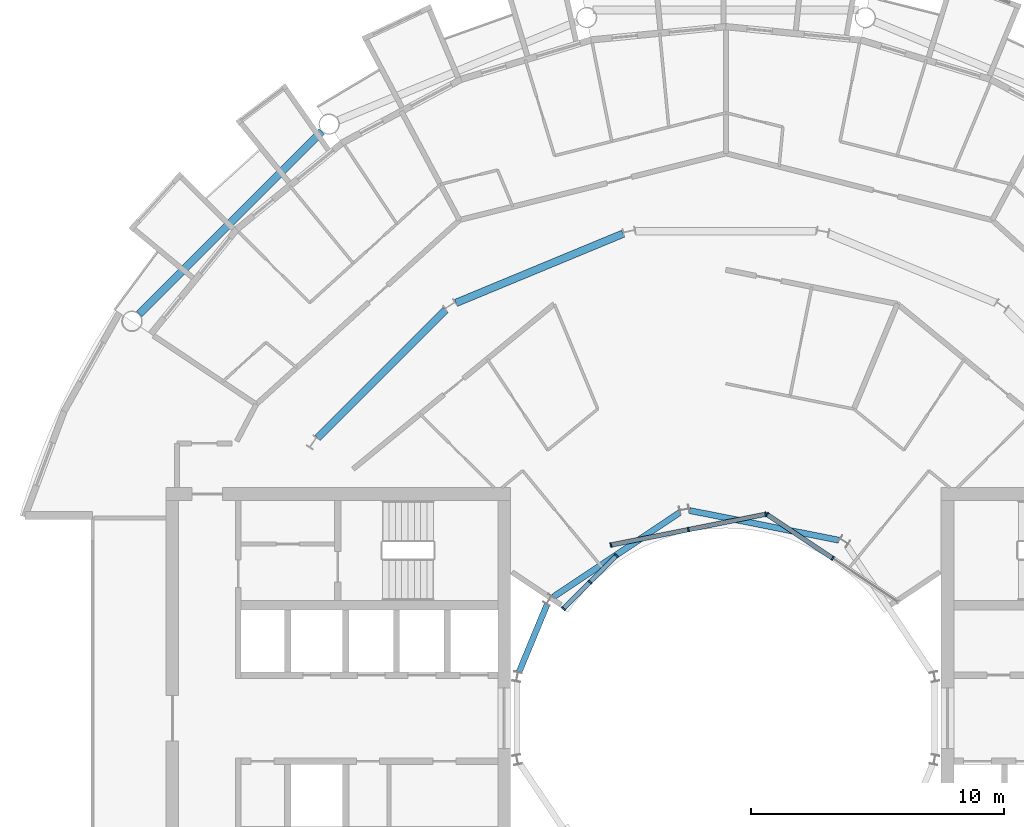
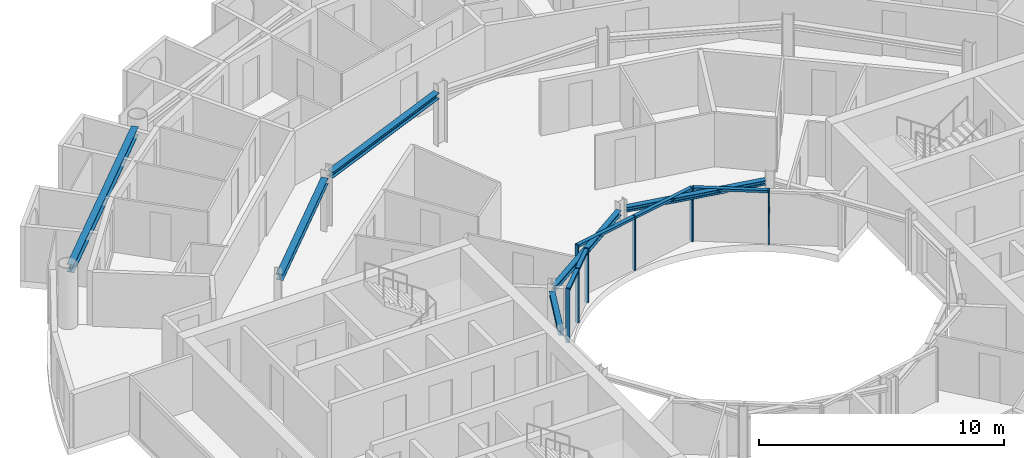
# One storey, part 8 of 27: 13 members, 6 beams, 3 elements without a shape of their own.
"""IFC4 building model written with IfcOpenShell, lengths in metres."""

from ifc_helpers import new_model, si_unit, direction, frame, origin, origin_2d, place, context, subcontext, project, spatial, rectangle, i_section, extrude, material, layer, layer_set, material_profile, profile_set, type_object, element, aggregate, save


model = new_model("IFC4")

# Units and contexts
model_context = context("Model", 3, precision=1e-05, world=origin(), true_north=direction((0.0, 1.0)))
body_context = subcontext(model_context, "Body", "Model", "MODEL_VIEW")
ifc_project = project(units=[si_unit("LENGTHUNIT", "METRE"), si_unit("AREAUNIT", "SQUARE_METRE"), si_unit("VOLUMEUNIT", "CUBIC_METRE"), si_unit("PLANEANGLEUNIT", "RADIAN"), si_unit("MASSUNIT", "GRAM", prefix="KILO")], contexts=[model_context])

# Site, building, storey
site_placement = place(None, origin())
site = spatial("IfcSite", under=ifc_project, at=site_placement, CompositionType="ELEMENT")
building_placement = place(site_placement, origin())
building = spatial("IfcBuilding", under=site, at=building_placement, Name="Maasbend Ring Residences", CompositionType="ELEMENT")
storey_placement = place(building_placement, frame((0.0, 0.0, 164.64990234375)))
storey = spatial("IfcBuildingStorey", under=building, at=storey_placement, Name="L47", CompositionType="ELEMENT", Elevation=164.64990234375)

# Curtain wall, members
ifc_material_1 = material(Name="Aluminium and clear glass", Category="aluminium")
ifc_layer = layer(ifc_material_1, 0.179931640625)
ifc_layer_set = layer_set([ifc_layer], Name="CW-W")
curtain_wall_type = type_object("IfcCurtainWallType", Name="CW-W", PredefinedType="NOTDEFINED", material=ifc_layer_set)
curtain_wall_1_placement = place(storey_placement, origin())
curtain_wall_1 = element("IfcCurtainWall", 1, at=curtain_wall_1_placement, inside=storey, type_object=curtain_wall_type, Name="Well curtain wall N1", PredefinedType="NOTDEFINED")
ifc_material_2 = material(Name="Aluminium 6063-T6", Category="aluminium")
ifc_material_profile_1 = material_profile(ifc_material_2, rectangle(XDim=0.179931640625, YDim=0.06005859375, at=origin_2d()), Name="AL 180x60")
ifc_profile_set_1 = profile_set([ifc_material_profile_1], Name="Aluminium 6063-T6")
member_type_1 = type_object("IfcMemberType", Name="CWM-W", PredefinedType="MULLION", material=ifc_profile_set_1)
member_1_placement = place(storey_placement, frame((4.216796875, 6.310791015625, 0.0), z_axis=(0.0, 0.0, 1.0), x_axis=(-0.55557023302, -0.831469612303, 0.0)))
member_1 = element("IfcMember", 2, at=member_1_placement, type_object=member_type_1, Name="Mullion well face", PredefinedType="MULLION", context=body_context, shape_type="SweptSolid", body=[
    extrude(rectangle(XDim=0.179931640625, YDim=0.06005859375, at=origin_2d()), origin(), (0.0, 0.0, 1.0), 2.7001953125),
])
member_2_placement = place(storey_placement, frame((1.627685546875, 8.040771484375, 0.0), z_axis=(0.0, 0.0, 1.0), x_axis=(-0.55557023302, -0.831469612303, 0.0)))
member_2 = element("IfcMember", 3, at=member_2_placement, type_object=member_type_1, Name="Mullion well face", PredefinedType="MULLION", context=body_context, shape_type="SweptSolid", body=[
    extrude(rectangle(XDim=0.179931640625, YDim=0.06005859375, at=origin_2d()), origin(), (0.0, 0.0, 1.0), 2.7001953125),
])

curtain_wall_2_placement = place(storey_placement, origin())
curtain_wall_2 = element("IfcCurtainWall", 4, at=curtain_wall_2_placement, inside=storey, type_object=curtain_wall_type, Name="Well curtain wall N2", PredefinedType="NOTDEFINED")
member_3_placement = place(storey_placement, frame((1.5732421875, 8.0517578125, 0.0), z_axis=(0.0, 0.0, 1.0), x_axis=(0.195090322016, -0.980785280403, 0.0)))
member_3 = element("IfcMember", 5, at=member_3_placement, type_object=member_type_1, Name="Mullion well face", PredefinedType="MULLION", context=body_context, shape_type="SweptSolid", body=[
    extrude(rectangle(XDim=0.179931640625, YDim=0.06005859375, at=origin_2d()), origin(), (0.0, 0.0, 1.0), 2.7001953125),
])
member_4_placement = place(storey_placement, frame((-1.480712890625, 7.444091796875, 0.0), z_axis=(0.0, 0.0, 1.0), x_axis=(0.195090322016, -0.980785280403, 0.0)))
member_4 = element("IfcMember", 6, at=member_4_placement, type_object=member_type_1, Name="Mullion well face", PredefinedType="MULLION", context=body_context, shape_type="SweptSolid", body=[
    extrude(rectangle(XDim=0.179931640625, YDim=0.06005859375, at=origin_2d()), origin(), (0.0, 0.0, 1.0), 2.7001953125),
])
member_5_placement = place(storey_placement, frame((-4.53466796875, 6.836669921875, 0.0), z_axis=(0.0, 0.0, 1.0), x_axis=(0.195090322016, -0.980785280403, 0.0)))
member_5 = element("IfcMember", 7, at=member_5_placement, type_object=member_type_1, Name="Mullion well face", PredefinedType="MULLION", context=body_context, shape_type="SweptSolid", body=[
    extrude(rectangle(XDim=0.179931640625, YDim=0.06005859375, at=origin_2d()), origin(), (0.0, 0.0, 1.0), 2.7001953125),
])

curtain_wall_3_placement = place(storey_placement, origin())
curtain_wall_3 = element("IfcCurtainWall", 8, at=curtain_wall_3_placement, inside=storey, type_object=curtain_wall_type, Name="Well curtain wall N3", PredefinedType="NOTDEFINED")
member_6_placement = place(storey_placement, frame((-4.320556640625, 6.413330078125, 0.0), z_axis=(0.0, 0.0, 1.0), x_axis=(0.707106781187, -0.707106781187, 0.0)))
member_6 = element("IfcMember", 9, at=member_6_placement, type_object=member_type_1, Name="Mullion well face", PredefinedType="MULLION", context=body_context, shape_type="SweptSolid", body=[
    extrude(rectangle(XDim=0.179931640625, YDim=0.06005859375, at=origin_2d()), origin(), (0.0, 0.0, 1.0), 2.7001953125),
])
member_7_placement = place(storey_placement, frame((-5.366943359375, 5.366943359375, 0.0), z_axis=(0.0, 0.0, 1.0), x_axis=(0.707106781187, -0.707106781187, 0.0)))
member_7 = element("IfcMember", 10, at=member_7_placement, type_object=member_type_1, Name="Mullion well face", PredefinedType="MULLION", context=body_context, shape_type="SweptSolid", body=[
    extrude(rectangle(XDim=0.179931640625, YDim=0.06005859375, at=origin_2d()), origin(), (0.0, 0.0, 1.0), 2.7001953125),
])
member_8_placement = place(storey_placement, frame((-6.413330078125, 4.320556640625, 0.0), z_axis=(0.0, 0.0, 1.0), x_axis=(0.707106781187, -0.707106781187, 0.0)))
member_8 = element("IfcMember", 11, at=member_8_placement, type_object=member_type_1, Name="Mullion well face", PredefinedType="MULLION", context=body_context, shape_type="SweptSolid", body=[
    extrude(rectangle(XDim=0.179931640625, YDim=0.06005859375, at=origin_2d()), origin(), (0.0, 0.0, 1.0), 2.7001953125),
])

# Member
ifc_material_3 = material(Name="Aluminium 6063-T6", Category="aluminium")
ifc_material_profile_2 = material_profile(ifc_material_3, rectangle(XDim=0.179931640625, YDim=0.1201171875, at=origin_2d()), Name="AL 180x120")
ifc_profile_set_2 = profile_set([ifc_material_profile_2], Name="Aluminium 6063-T6")
member_type_2 = type_object("IfcMemberType", Name="CWT-W", PredefinedType="USERDEFINED", material=ifc_profile_set_2)
member_9_placement = place(storey_placement, frame((4.19189453125, 6.32763671875, 2.64013671875), z_axis=(-0.831496422459, 0.555530106689, 0.0), x_axis=(-0.555530106689, -0.831496422459, 0.0)))
member_9 = element("IfcMember", 12, at=member_9_placement, type_object=member_type_2, Name="Transom well face", ObjectType="TRANSOM", PredefinedType="USERDEFINED", context=body_context, shape_type="SweptSolid", body=[
    extrude(rectangle(XDim=0.179931640625, YDim=0.1201171875, at=origin_2d()), origin(), (0.0, 0.0, 1.0), 3.053955078125),
])

aggregate(curtain_wall_1, [member_1, member_2, member_9])

member_10_placement = place(storey_placement, frame((1.5439453125, 8.0458984375, 2.64013671875), z_axis=(-0.980776956105, -0.195132166424, 0.0), x_axis=(0.195132166424, -0.980776956105, 0.0)))
member_10 = element("IfcMember", 13, at=member_10_placement, type_object=member_type_2, Name="Transom well face", ObjectType="TRANSOM", PredefinedType="USERDEFINED", context=body_context, shape_type="SweptSolid", body=[
    extrude(rectangle(XDim=0.179931640625, YDim=0.1201171875, at=origin_2d()), origin(), (0.0, 0.0, 1.0), 3.053955078125),
])

member_11_placement = place(storey_placement, frame((-1.51025390625, 7.438232421875, 2.64013671875), z_axis=(-0.980789210404, -0.19507056353, 0.0), x_axis=(0.19507056353, -0.980789210404, 0.0)))
member_11 = element("IfcMember", 14, at=member_11_placement, type_object=member_type_2, Name="Transom well face", ObjectType="TRANSOM", PredefinedType="USERDEFINED", context=body_context, shape_type="SweptSolid", body=[
    extrude(rectangle(XDim=0.179931640625, YDim=0.1201171875, at=origin_2d()), origin(), (0.0, 0.0, 1.0), 3.0537109375),
])

aggregate(curtain_wall_2, [member_3, member_4, member_5, member_10, member_11])

member_12_placement = place(storey_placement, frame((-4.341796875, 6.39208984375, 2.64013671875), z_axis=(-0.707106781187, -0.707106781187, 0.0), x_axis=(0.707106781187, -0.707106781187, 0.0)))
member_12 = element("IfcMember", 15, at=member_12_placement, type_object=member_type_2, Name="Transom well face", ObjectType="TRANSOM", PredefinedType="USERDEFINED", context=body_context, shape_type="SweptSolid", body=[
    extrude(rectangle(XDim=0.179931640625, YDim=0.1201171875, at=origin_2d()), origin(), (0.0, 0.0, 1.0), 1.419677734375),
])

member_13_placement = place(storey_placement, frame((-5.38818359375, 5.345703125, 2.64013671875), z_axis=(-0.707106781187, -0.707106781187, 0.0), x_axis=(0.707106781187, -0.707106781187, 0.0)))
member_13 = element("IfcMember", 16, at=member_13_placement, type_object=member_type_2, Name="Transom well face", ObjectType="TRANSOM", PredefinedType="USERDEFINED", context=body_context, shape_type="SweptSolid", body=[
    extrude(rectangle(XDim=0.179931640625, YDim=0.1201171875, at=origin_2d()), origin(), (0.0, 0.0, 1.0), 1.419677734375),
])

aggregate(curtain_wall_3, [member_6, member_7, member_8, member_12, member_13])

# Beams
ifc_material_4 = material(Name="Steel S355J2", Category="steel")
ifc_material_profile_3 = material_profile(ifc_material_4, i_section(OverallWidth=0.300048828125, OverallDepth=0.2900390625, WebThickness=0.008544921875, FlangeThickness=0.013916015625, FilletRadius=0.027099609375, at=origin_2d()), Name="HEA 300")
ifc_profile_set_3 = profile_set([ifc_material_profile_3], Name="Steel S355J2")
beam_type_1 = type_object("IfcBeamType", Name="Corridor ring beam HEA 300", PredefinedType="BEAM", material=ifc_profile_set_3)
for number, where, z_axis, x_axis, name in (
    (17, (-4.059326171875, 19.1259765625, 2.55517578125), (-0.923871339849, -0.382703210602, 0.0), (0.382703210602, -0.923871339849, 0.0), "Corridor ring beam"),
    (18, (-11.0693359375, 16.11669921875, 2.55517578125), (-0.707106781187, -0.707106781187, 0.0), (0.707106781187, -0.707106781187, 0.0), "Corridor ring beam"),
):
    element("IfcBeam", number, at=place(storey_placement, frame(where, z_axis=z_axis, x_axis=x_axis)), inside=storey, type_object=beam_type_1, Name=name, PredefinedType="BEAM", context=body_context, shape_type="SweptSolid", body=[
        extrude(i_section(OverallWidth=0.300048828125, OverallDepth=0.2900390625, WebThickness=0.008544921875, FlangeThickness=0.013916015625, FilletRadius=0.027099609375, at=origin_2d()), origin(), (0.0, 0.0, 1.0), 7.137939453125),
    ])
ifc_material_5 = material(Name="Steel S355J2", Category="steel")
ifc_material_profile_4 = material_profile(ifc_material_5, i_section(OverallWidth=0.300048828125, OverallDepth=0.39990234375, WebThickness=0.013427734375, FlangeThickness=0.02392578125, FilletRadius=0.027099609375, at=origin_2d()), Name="HEB 400")
ifc_profile_set_4 = profile_set([ifc_material_profile_4], Name="Steel S355J2")
beam_type_2 = type_object("IfcBeamType", Name="Spandrel ring beam HEB 400", PredefinedType="SPANDREL", material=ifc_profile_set_4)
beam_1_placement = place(storey_placement, frame((-15.95458984375, 23.159912109375, 2.5), z_axis=(-0.707106781187, -0.707106781187, 0.0), x_axis=(0.707106781187, -0.707106781187, 0.0)))
element("IfcBeam", 19, at=beam_1_placement, inside=storey, type_object=beam_type_2, Name="Spandrel ring beam", PredefinedType="SPANDREL", context=body_context, shape_type="SweptSolid", body=[
    extrude(i_section(OverallWidth=0.300048828125, OverallDepth=0.39990234375, WebThickness=0.013427734375, FlangeThickness=0.02392578125, FilletRadius=0.027099609375, at=origin_2d()), origin(), (0.0, 0.0, 1.0), 10.18994140625),
])
ifc_material_6 = material(Name="Steel S355J2", Category="steel")
ifc_material_profile_5 = material_profile(ifc_material_6, i_section(OverallWidth=0.239990234375, OverallDepth=0.22998046875, WebThickness=0.007568359375, FlangeThickness=0.011962890625, FilletRadius=0.02099609375, at=origin_2d()), Name="HEA 240")
ifc_profile_set_5 = profile_set([ifc_material_profile_5], Name="Steel S355J2")
beam_type_3 = type_object("IfcBeamType", Name="Well edge beam HEA 240", PredefinedType="BEAM", material=ifc_profile_set_5)
beam_2_placement = place(storey_placement, frame((4.459716796875, 7.025390625, 2.585205078125), z_axis=(-0.980778695042, 0.195123425945, 0.0), x_axis=(-0.195123425945, -0.980778695042, 0.0)))
element("IfcBeam", 20, at=beam_2_placement, inside=storey, type_object=beam_type_3, Name="Well edge beam", PredefinedType="BEAM", context=body_context, shape_type="SweptSolid", body=[
    extrude(i_section(OverallWidth=0.239990234375, OverallDepth=0.22998046875, WebThickness=0.007568359375, FlangeThickness=0.011962890625, FilletRadius=0.02099609375, at=origin_2d()), origin(), (0.0, 0.0, 1.0), 6.007080078125),
])
beam_3_placement = place(storey_placement, frame((-1.814208984375, 8.121337890625, 2.585205078125), z_axis=(-0.831480850227, -0.555553413909, 0.0), x_axis=(0.555553413909, -0.831480850227, 0.0)))
element("IfcBeam", 21, at=beam_3_placement, inside=storey, type_object=beam_type_3, Name="Well edge beam", PredefinedType="BEAM", context=body_context, shape_type="SweptSolid", body=[
    extrude(i_section(OverallWidth=0.239990234375, OverallDepth=0.22998046875, WebThickness=0.007568359375, FlangeThickness=0.011962890625, FilletRadius=0.02099609375, at=origin_2d()), origin(), (0.0, 0.0, 1.0), 6.0068359375),
])
beam_4_placement = place(storey_placement, frame((-7.060302734375, 4.483154296875, 2.585205078125), z_axis=(-0.382748596828, -0.923852537814, 0.0), x_axis=(0.923852537814, -0.382748596828, 0.0)))
element("IfcBeam", 22, at=beam_4_placement, inside=storey, type_object=beam_type_3, Name="Well edge beam", PredefinedType="BEAM", context=body_context, shape_type="SweptSolid", body=[
    extrude(i_section(OverallWidth=0.239990234375, OverallDepth=0.22998046875, WebThickness=0.007568359375, FlangeThickness=0.011962890625, FilletRadius=0.02099609375, at=origin_2d()), origin(), (0.0, 0.0, 1.0), 2.8798828125),
])

save(model, "model.ifc")
